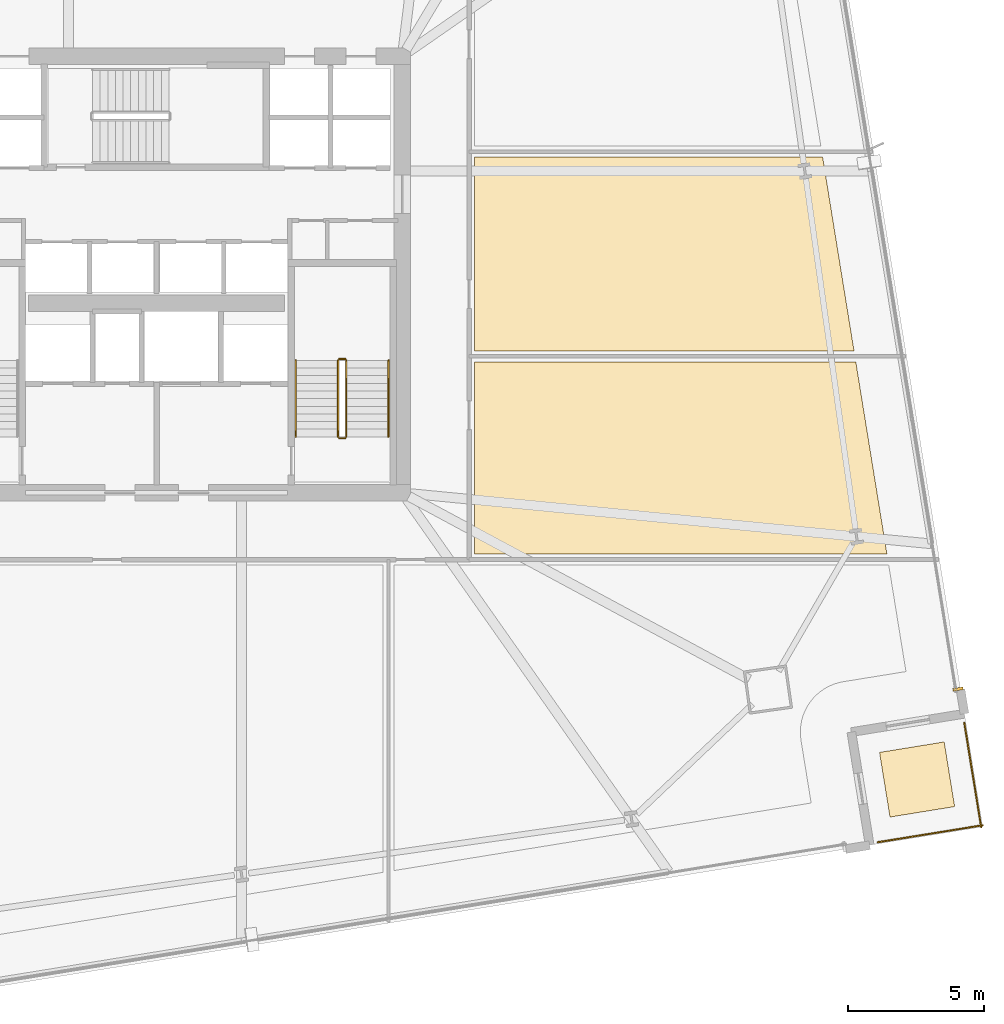
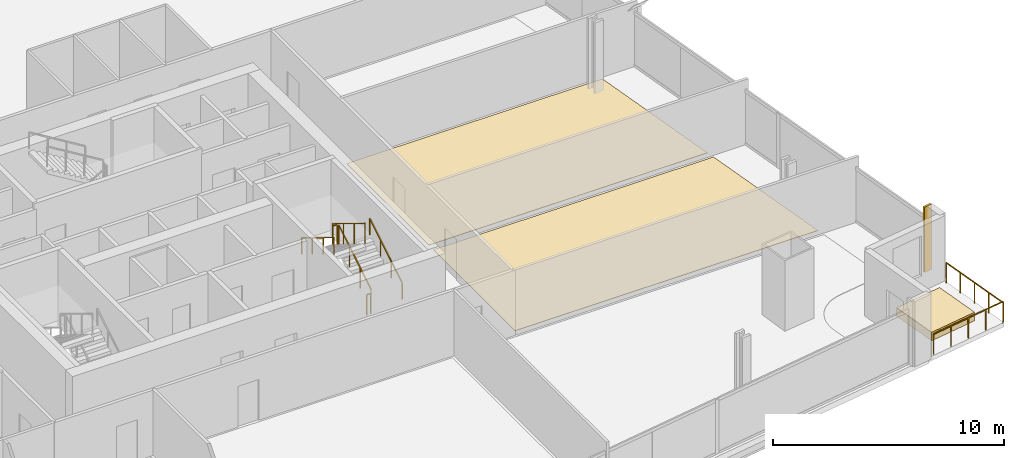
# One storey, part 31 of 33: 8 railings, 4 coverings.
"""IFC4 building model written with IfcOpenShell, lengths in metres."""

from ifc_helpers import new_model, si_unit, direction, frame, origin, origin_2d, place, context, subcontext, project, spatial, polyline, rectangle, outline, extrude, source, transform, mapped, material, layer, layer_set, type_object, element, save


model = new_model("IFC4")

# Units and contexts
model_context = context("Model", 3, precision=1e-05, world=origin(), true_north=direction((0.0, 1.0)))
body_context = subcontext(model_context, "Body", "Model", "MODEL_VIEW")
ifc_project = project(units=[si_unit("LENGTHUNIT", "METRE"), si_unit("AREAUNIT", "SQUARE_METRE"), si_unit("VOLUMEUNIT", "CUBIC_METRE"), si_unit("PLANEANGLEUNIT", "RADIAN"), si_unit("MASSUNIT", "GRAM", prefix="KILO")], contexts=[model_context])

# Site, building, storey
site_placement = place(None, origin())
site = spatial("IfcSite", under=ifc_project, at=site_placement, CompositionType="ELEMENT")
building_placement = place(site_placement, origin())
building = spatial("IfcBuilding", under=site, at=building_placement, Name="Haldenkirk Collegiate Tower", CompositionType="ELEMENT")
storey_placement = place(building_placement, frame((0.0, 0.0, 58.949951171875)))
storey = spatial("IfcBuildingStorey", under=building, at=storey_placement, Name="L13", CompositionType="ELEMENT", Elevation=58.949951171875)

# Coverings
ifc_material_1 = material(Name="Polished collegiate terrazzo", Category="concrete")
ifc_layer_1 = layer(ifc_material_1, 0.02490234375)
ifc_layer_set_1 = layer_set([ifc_layer_1], Name="Polished collegiate terrazzo")
covering_type_1 = type_object("IfcCoveringType", Name="COV-FLOOR-TERRAZZO", PredefinedType="FLOORING", material=ifc_layer_set_1)
covering_1_placement = place(storey_placement, origin())
element("IfcCovering", 1, at=covering_1_placement, inside=storey, type_object=covering_type_1, Name="L13 academic room finish 10", PredefinedType="FLOORING", context=body_context, shape_type="SweptSolid", body=[
    extrude(outline(polyline([(62.762939453125, 15.75), (47.64990234375, 15.75), (47.64990234375, 22.800048828125), (61.62109375, 22.800048828125), (62.762939453125, 15.75)])), origin(), (0.0, 0.0, 1.0), 0.025146484375),
])
ifc_material_2 = material(Name="Engineered collegiate oak acoustic flooring", Category="wood")
ifc_layer_2 = layer(ifc_material_2, 0.02197265625)
ifc_layer_set_2 = layer_set([ifc_layer_2], Name="Engineered collegiate oak acoustic flooring")
covering_type_2 = type_object("IfcCoveringType", Name="COV-FLOOR-TIMBER", PredefinedType="FLOORING", material=ifc_layer_set_2)
covering_2_placement = place(storey_placement, origin())
element("IfcCovering", 2, at=covering_2_placement, inside=storey, type_object=covering_type_2, Name="L13 academic room finish 11", PredefinedType="FLOORING", context=body_context, shape_type="SweptSolid", body=[
    extrude(outline(polyline([(61.556396484375, 23.199951171875), (47.64990234375, 23.199951171875), (47.64990234375, 30.300048828125), (60.406494140625, 30.300048828125), (61.556396484375, 23.199951171875)])), origin(), (0.0, 0.0, 1.0), 0.02197265625),
])
ifc_material_3 = material(Name="Precast concrete f'c 40 MPa", Category="concrete")
ifc_layer_3 = layer(ifc_material_3, 0.449951171875)
ifc_layer_set_3 = layer_set([ifc_layer_3], Name="Precast concrete f'c 40 MPa")
covering_type_3 = type_object("IfcCoveringType", Name="COV-PLANTER-450", PredefinedType="USERDEFINED", material=ifc_layer_set_3)
covering_3_placement = place(storey_placement, origin())
element("IfcCovering", 3, at=covering_3_placement, inside=storey, type_object=covering_type_3, Name="L13 planted garden planter bed", ObjectType="PLANTER", PredefinedType="USERDEFINED", context=body_context, shape_type="SweptSolid", body=[
    extrude(outline(polyline([(62.874755859375, 6.115966796875), (62.4912109375, 8.485107421875), (64.860107421875, 8.868896484375), (65.243896484375, 6.499755859375), (62.874755859375, 6.115966796875)])), origin(), (0.0, 0.0, 1.0), 0.449951171875),
])

# Railings
ifc_material_4 = material(Name="Painted architectural tubular steel", Category="steel")
railing_type_1 = type_object("IfcRailingType", Name="RLG-STAIR-GUARD-1100", PredefinedType="BALUSTRADE", material=ifc_material_4)
railing_1_placement = place(storey_placement, frame((42.949951171875, 20.050048828125, 0.17041015625)))
element("IfcRailing", 4, at=railing_1_placement, inside=storey, type_object=railing_type_1, Name="L13 ST-2 stair guard 1", PredefinedType="BALUSTRADE", context=body_context, shape_type="SweptSolid", body=[
    extrude(rectangle(XDim=0.048095703125, YDim=0.048095703125, at=origin_2d()), frame((0.0, 0.0, 1.076171875), z_axis=(0.0, 0.854169791009, 0.51999420009), x_axis=(-1.0, 0.0, 0.0)), (0.0, 0.0, 1.0), 3.278076171875),
    extrude(rectangle(XDim=0.0419921875, YDim=0.0419921875, at=origin_2d()), origin(), (0.0, 0.0, 1.0), 1.052001953125),
    extrude(rectangle(XDim=0.0419921875, YDim=0.0419921875, at=origin_2d()), frame((0.0, 0.933349609375, 0.568115234375)), (0.0, 0.0, 1.0), 1.052001953125),
    extrude(rectangle(XDim=0.0419921875, YDim=0.0419921875, at=origin_2d()), frame((0.0, 1.86669921875, 1.136474609375)), (0.0, 0.0, 1.0), 1.052001953125),
    extrude(rectangle(XDim=0.0419921875, YDim=0.0419921875, at=origin_2d()), frame((0.0, 2.800048828125, 1.70458984375)), (0.0, 0.0, 1.0), 1.052001953125),
])
railing_2_placement = place(storey_placement, frame((42.89990234375, 22.89990234375, 1.875)))
element("IfcRailing", 5, at=railing_2_placement, inside=storey, type_object=railing_type_1, Name="L13 ST-2 stair guard 2", PredefinedType="BALUSTRADE", context=body_context, shape_type="SweptSolid", body=[
    extrude(rectangle(XDim=0.048095703125, YDim=0.048095703125, at=origin_2d()), frame((0.0, 0.0, 1.076171875), z_axis=(-1.0, 0.0, 0.0), x_axis=(0.0, -1.0, 0.0)), (0.0, 0.0, 1.0), 0.199951171875),
    extrude(rectangle(XDim=0.0419921875, YDim=0.0419921875, at=origin_2d()), origin(), (0.0, 0.0, 1.0), 1.052001953125),
    extrude(rectangle(XDim=0.0419921875, YDim=0.0419921875, at=origin_2d()), frame((-0.199951171875, 0.0, 0.0)), (0.0, 0.0, 1.0), 1.052001953125),
])
railing_3_placement = place(storey_placement, frame((42.64990234375, 22.85009765625, 2.04541015625)))
element("IfcRailing", 6, at=railing_3_placement, inside=storey, type_object=railing_type_1, Name="L13 ST-2 stair guard 3", PredefinedType="BALUSTRADE", context=body_context, shape_type="SweptSolid", body=[
    extrude(rectangle(XDim=0.048095703125, YDim=0.048095703125, at=origin_2d()), frame((0.0, 0.0, 1.076171875), z_axis=(0.0, -0.854169791009, 0.51999420009), x_axis=(1.0, 0.0, 0.0)), (0.0, 0.0, 1.0), 3.278076171875),
    extrude(rectangle(XDim=0.0419921875, YDim=0.0419921875, at=origin_2d()), origin(), (0.0, 0.0, 1.0), 1.052001953125),
    extrude(rectangle(XDim=0.0419921875, YDim=0.0419921875, at=origin_2d()), frame((0.0, -0.933349609375, 0.568115234375)), (0.0, 0.0, 1.0), 1.052001953125),
    extrude(rectangle(XDim=0.0419921875, YDim=0.0419921875, at=origin_2d()), frame((0.0, -1.86669921875, 1.136474609375)), (0.0, 0.0, 1.0), 1.052001953125),
    extrude(rectangle(XDim=0.0419921875, YDim=0.0419921875, at=origin_2d()), frame((0.0, -2.800048828125, 1.70458984375)), (0.0, 0.0, 1.0), 1.052001953125),
])
railing_4_placement = place(storey_placement, frame((42.89990234375, 20.0, 0.0)))
element("IfcRailing", 7, at=railing_4_placement, inside=storey, type_object=railing_type_1, Name="L13 ST-2 stair guard 4", PredefinedType="BALUSTRADE", context=body_context, shape_type="SweptSolid", body=[
    extrude(rectangle(XDim=0.048095703125, YDim=0.048095703125, at=origin_2d()), frame((0.0, 0.0, 1.076171875), z_axis=(-1.0, 0.0, 0.0), x_axis=(0.0, -1.0, 0.0)), (0.0, 0.0, 1.0), 0.199951171875),
    extrude(rectangle(XDim=0.0419921875, YDim=0.0419921875, at=origin_2d()), origin(), (0.0, 0.0, 1.0), 1.052001953125),
    extrude(rectangle(XDim=0.0419921875, YDim=0.0419921875, at=origin_2d()), frame((-0.199951171875, 0.0, 0.0)), (0.0, 0.0, 1.0), 1.052001953125),
])
railing_type_2 = type_object("IfcRailingType", Name="RLG-STAIR-HANDRAIL-900", PredefinedType="HANDRAIL", material=ifc_material_4)
railing_5_placement = place(storey_placement, frame((44.5, 20.050048828125, 0.17041015625)))
element("IfcRailing", 8, at=railing_5_placement, inside=storey, type_object=railing_type_2, Name="L13 ST-2 stair handrail 1", PredefinedType="HANDRAIL", context=body_context, shape_type="SweptSolid", body=[
    extrude(rectangle(XDim=0.048095703125, YDim=0.048095703125, at=origin_2d()), frame((0.0, 0.0, 0.8759765625), z_axis=(0.0, 0.854169791009, 0.51999420009), x_axis=(-1.0, 0.0, 0.0)), (0.0, 0.0, 1.0), 3.278076171875),
    extrude(rectangle(XDim=0.0419921875, YDim=0.0419921875, at=origin_2d()), origin(), (0.0, 0.0, 1.0), 0.851806640625),
    extrude(rectangle(XDim=0.0419921875, YDim=0.0419921875, at=origin_2d()), frame((0.0, 0.933349609375, 0.568115234375)), (0.0, 0.0, 1.0), 0.851806640625),
    extrude(rectangle(XDim=0.0419921875, YDim=0.0419921875, at=origin_2d()), frame((0.0, 1.86669921875, 1.136474609375)), (0.0, 0.0, 1.0), 0.851806640625),
    extrude(rectangle(XDim=0.0419921875, YDim=0.0419921875, at=origin_2d()), frame((0.0, 2.800048828125, 1.70458984375)), (0.0, 0.0, 1.0), 0.851806640625),
])
railing_6_placement = place(storey_placement, frame((41.10009765625, 22.85009765625, 2.04541015625)))
element("IfcRailing", 9, at=railing_6_placement, inside=storey, type_object=railing_type_2, Name="L13 ST-2 stair handrail 2", PredefinedType="HANDRAIL", context=body_context, shape_type="SweptSolid", body=[
    extrude(rectangle(XDim=0.048095703125, YDim=0.048095703125, at=origin_2d()), frame((0.0, 0.0, 0.8759765625), z_axis=(0.0, -0.854169791009, 0.51999420009), x_axis=(1.0, 0.0, 0.0)), (0.0, 0.0, 1.0), 3.278076171875),
    extrude(rectangle(XDim=0.0419921875, YDim=0.0419921875, at=origin_2d()), origin(), (0.0, 0.0, 1.0), 0.851806640625),
    extrude(rectangle(XDim=0.0419921875, YDim=0.0419921875, at=origin_2d()), frame((0.0, -0.933349609375, 0.568115234375)), (0.0, 0.0, 1.0), 0.851806640625),
    extrude(rectangle(XDim=0.0419921875, YDim=0.0419921875, at=origin_2d()), frame((0.0, -1.86669921875, 1.136474609375)), (0.0, 0.0, 1.0), 0.851806640625),
    extrude(rectangle(XDim=0.0419921875, YDim=0.0419921875, at=origin_2d()), frame((0.0, -2.800048828125, 1.70458984375)), (0.0, 0.0, 1.0), 0.851806640625),
])
ifc_material_5 = material(Name="Anodised architectural bronze aluminium", Category="aluminium")
railing_type_3 = type_object("IfcRailingType", Name="RLG-TERR-BALUSTRADE-1100", PredefinedType="BALUSTRADE", material=ifc_material_5)
railing_7_placement = place(storey_placement, frame((62.4365234375, 5.194091796875, 0.0)))
element("IfcRailing", 10, at=railing_7_placement, inside=storey, type_object=railing_type_3, Name="L13 terrace guard balustrade 1-1", PredefinedType="BALUSTRADE", context=body_context, shape_type="SweptSolid", body=[
    extrude(rectangle(XDim=0.048095703125, YDim=0.048095703125, at=origin_2d()), frame((0.0, 0.0, 1.076171875), z_axis=(0.987135287434, 0.159887223698, 0.0), x_axis=(-0.159887223698, 0.987135287434, 0.0)), (0.0, 0.0, 1.0), 3.8798828125),
    extrude(rectangle(XDim=0.0419921875, YDim=0.0419921875, at=origin_2d()), origin(), (0.0, 0.0, 1.0), 1.052001953125),
    extrude(rectangle(XDim=0.0419921875, YDim=0.0419921875, at=origin_2d()), frame((0.95751953125, 0.155029296875, 0.0)), (0.0, 0.0, 1.0), 1.052001953125),
    extrude(rectangle(XDim=0.0419921875, YDim=0.0419921875, at=origin_2d()), frame((1.9150390625, 0.31005859375, 0.0)), (0.0, 0.0, 1.0), 1.052001953125),
    extrude(rectangle(XDim=0.0419921875, YDim=0.0419921875, at=origin_2d()), frame((2.87255859375, 0.46533203125, 0.0)), (0.0, 0.0, 1.0), 1.052001953125),
    extrude(rectangle(XDim=0.0419921875, YDim=0.0419921875, at=origin_2d()), frame((3.830078125, 0.620361328125, 0.0)), (0.0, 0.0, 1.0), 1.052001953125),
])
railing_8_placement = place(storey_placement, frame((66.217041015625, 5.74560546875, 0.0)))
element("IfcRailing", 11, at=railing_8_placement, inside=storey, type_object=railing_type_3, Name="L13 terrace guard balustrade 2-1", PredefinedType="BALUSTRADE", context=body_context, shape_type="SweptSolid", body=[
    extrude(rectangle(XDim=0.048095703125, YDim=0.048095703125, at=origin_2d()), frame((0.0, 0.0, 1.076171875), z_axis=(-0.159887223698, 0.987135287434, 0.0), x_axis=(-0.987135287434, -0.159887223698, 0.0)), (0.0, 0.0, 1.0), 3.8798828125),
    extrude(rectangle(XDim=0.0419921875, YDim=0.0419921875, at=origin_2d()), origin(), (0.0, 0.0, 1.0), 1.052001953125),
    extrude(rectangle(XDim=0.0419921875, YDim=0.0419921875, at=origin_2d()), frame((-0.155029296875, 0.95751953125, 0.0)), (0.0, 0.0, 1.0), 1.052001953125),
    extrude(rectangle(XDim=0.0419921875, YDim=0.0419921875, at=origin_2d()), frame((-0.31005859375, 1.9150390625, 0.0)), (0.0, 0.0, 1.0), 1.052001953125),
    extrude(rectangle(XDim=0.0419921875, YDim=0.0419921875, at=origin_2d()), frame((-0.46533203125, 2.87255859375, 0.0)), (0.0, 0.0, 1.0), 1.052001953125),
    extrude(rectangle(XDim=0.0419921875, YDim=0.0419921875, at=origin_2d()), frame((-0.620361328125, 3.830078125, 0.0)), (0.0, 0.0, 1.0), 1.052001953125),
])

# Covering
ifc_layer_4 = layer(ifc_material_5, 0.06005859375)
ifc_layer_set_4 = layer_set([ifc_layer_4], Name="Anodised architectural bronze aluminium")
covering_type_4 = type_object("IfcCoveringType", Name="COV-CLAD-BRONZE-60", PredefinedType="CLADDING", material=ifc_layer_set_4)
shared_shape = source(origin(), body_context, "Body", "SweptSolid", [
    extrude(rectangle(XDim=0.10009765625, YDim=0.3798828125, at=origin_2d()), origin(), (0.0, 0.0, 1.0), 3.43994140625),
])
covering_4_placement = place(storey_placement, frame((65.3671875, 10.8046875, 0.0), z_axis=(0.0, 0.0, 1.0), x_axis=(0.159881187692, -0.987136265073, 0.0)))
element("IfcCovering", 12, at=covering_4_placement, inside=storey, type_object=covering_type_4, Name="L13 recessed curtain-wall bronze jamb closure EJR", PredefinedType="CLADDING", context=body_context, shape_type="MappedRepresentation", body=[
    mapped(shared_shape, transform((0.0, 0.0, 0.0), x_axis=(1.0, 0.0, 0.0), y_axis=(0.0, 1.0, 0.0), z_axis=(0.0, 0.0, 1.0), scale=1.0)),
])

save(model, "model.ifc")
